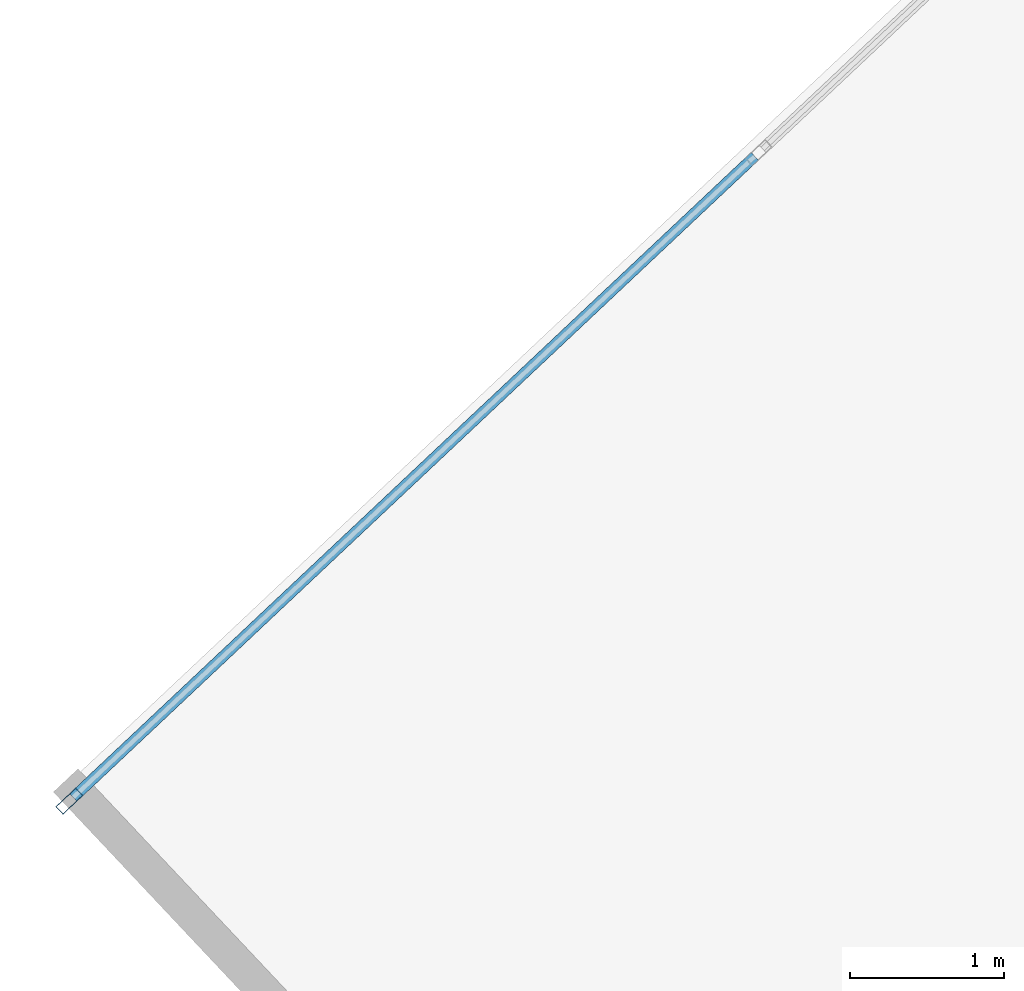
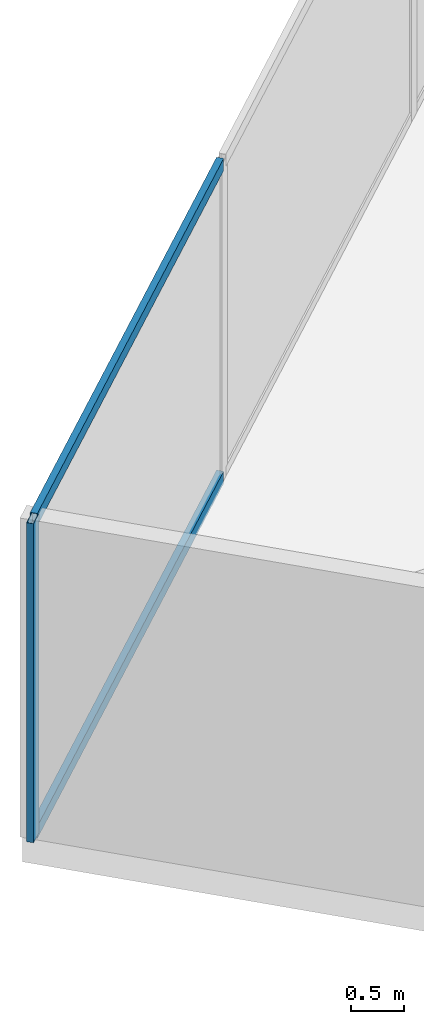
# One storey, part 7 of 25: 3 members, 1 element without a shape of its own.
"""IFC4 building model written with IfcOpenShell, lengths in metres."""

from ifc_helpers import new_model, si_unit, direction, frame, origin, origin_2d, place, context, subcontext, project, spatial, hollow_rectangle, extrude, source, transform, mapped, material, material_profile, profile_set, type_object, type_shapes, element, aggregate, save


model = new_model("IFC4")

# Units and contexts
model_context = context("Model", 3, precision=1e-05, world=origin(), true_north=direction((0.0, 1.0)))
body_context = subcontext(model_context, "Body", "Model", "MODEL_VIEW")
ifc_project = project(units=[si_unit("LENGTHUNIT", "METRE"), si_unit("AREAUNIT", "SQUARE_METRE"), si_unit("VOLUMEUNIT", "CUBIC_METRE"), si_unit("PLANEANGLEUNIT", "RADIAN"), si_unit("MASSUNIT", "GRAM", prefix="KILO")], contexts=[model_context])

# Site, building, storey
site_placement = place(None, origin())
site = spatial("IfcSite", under=ifc_project, at=site_placement, CompositionType="ELEMENT")
building_placement = place(site_placement, origin())
building = spatial("IfcBuilding", under=site, at=building_placement, Name="Krantzveldt Concourse Tower", CompositionType="ELEMENT")
storey_placement = place(building_placement, frame((0.0, 0.0, 238.89990234375)))
storey = spatial("IfcBuildingStorey", under=building, at=storey_placement, Name="L58", CompositionType="ELEMENT", Elevation=238.89990234375)

# Curtain wall, members
ifc_material = material(Name="Anodised aluminium 6063-T6", Category="aluminium")
curtain_wall_type = type_object("IfcCurtainWallType", Name="CW3", PredefinedType="USERDEFINED", material=ifc_material)
curtain_wall_placement = place(storey_placement, origin())
curtain_wall = element("IfcCurtainWall", 1, at=curtain_wall_placement, inside=storey, type_object=curtain_wall_type, Name="CW-L58-F01", ObjectType="UNITISED CURTAIN WALL", PredefinedType="USERDEFINED")
ifc_material_profile_1 = material_profile(ifc_material, hollow_rectangle(XDim=0.070068359375, YDim=0.179931640625, WallThickness=0.0048828125, at=origin_2d()), Name="Anodised aluminium 6063-T6", Category="aluminium")
ifc_profile_set_1 = profile_set([ifc_material_profile_1], Name="Anodised aluminium 6063-T6 - ALU-MULL 180x70x5")
member_type_1 = type_object("IfcMemberType", Name="CW-MUL-180", PredefinedType="MULLION", material=ifc_profile_set_1)
shared_shape_1 = source(origin(), body_context, "Body", "SweptSolid", [
    extrude(hollow_rectangle(XDim=0.070068359375, YDim=0.179931640625, WallThickness=0.0048828125, at=origin_2d()), origin(), (0.0, 0.0, 1.0), 3.670166015625),
])
type_shapes(member_type_1, [shared_shape_1])
member_1_placement = place(storey_placement, frame((10.751220703125, 30.9697265625, 0.0), z_axis=(0.0, 0.0, 1.0), x_axis=(0.685182945184, -0.728371012348, 0.0)))
member_1 = element("IfcMember", 2, at=member_1_placement, type_object=member_type_1, Name="CW-Z34 mullion 6", PredefinedType="MULLION", context=body_context, shape_type="MappedRepresentation", body=[
    mapped(shared_shape_1, transform((0.0, 0.0, 0.0), x_axis=(1.0, 0.0, 0.0), y_axis=(0.0, 1.0, 0.0), z_axis=(0.0, 0.0, 1.0), scale=1.0)),
])
ifc_material_profile_2 = material_profile(ifc_material, hollow_rectangle(XDim=0.070068359375, YDim=0.139892578125, WallThickness=0.0048828125, at=origin_2d()), Name="Anodised aluminium 6063-T6", Category="aluminium")
ifc_profile_set_2 = profile_set([ifc_material_profile_2], Name="Anodised aluminium 6063-T6 - ALU-TRAN 140x70x5")
member_type_2 = type_object("IfcMemberType", Name="CW-TRN-150", PredefinedType="USERDEFINED", material=ifc_profile_set_2)
shared_shape_2 = source(origin(), body_context, "Body", "SweptSolid", [
    extrude(hollow_rectangle(XDim=0.070068359375, YDim=0.139892578125, WallThickness=0.0048828125, at=origin_2d()), origin(), (0.0, 0.0, 1.0), 6.094970703125),
])
type_shapes(member_type_2, [shared_shape_2])
member_2_placement = place(storey_placement, frame((15.216064453125, 35.169921875, 0.03515625), z_axis=(-0.728366954224, -0.685187259072, 0.0), x_axis=(0.685187259072, -0.728366954224, 0.0)))
member_2 = element("IfcMember", 3, at=member_2_placement, type_object=member_type_2, Name="CW-Z34 transom 5.1", ObjectType="TRANSOM", PredefinedType="USERDEFINED", context=body_context, shape_type="MappedRepresentation", body=[
    mapped(shared_shape_2, transform((0.0, 0.0, 0.0), x_axis=(1.0, 0.0, 0.0), y_axis=(0.0, 1.0, 0.0), z_axis=(0.0, 0.0, 1.0), scale=1.0)),
])
member_3_placement = place(storey_placement, frame((15.216064453125, 35.169921875, 3.635009765625), z_axis=(-0.728366954224, -0.685187259072, 0.0), x_axis=(0.685187259072, -0.728366954224, 0.0)))
member_3 = element("IfcMember", 4, at=member_3_placement, type_object=member_type_2, Name="CW-Z34 transom 5.2", ObjectType="TRANSOM", PredefinedType="USERDEFINED", context=body_context, shape_type="MappedRepresentation", body=[
    mapped(shared_shape_2, transform((0.0, 0.0, 0.0), x_axis=(1.0, 0.0, 0.0), y_axis=(0.0, 1.0, 0.0), z_axis=(0.0, 0.0, 1.0), scale=1.0)),
])
aggregate(curtain_wall, [member_1, member_2, member_3])

save(model, "model.ifc")
